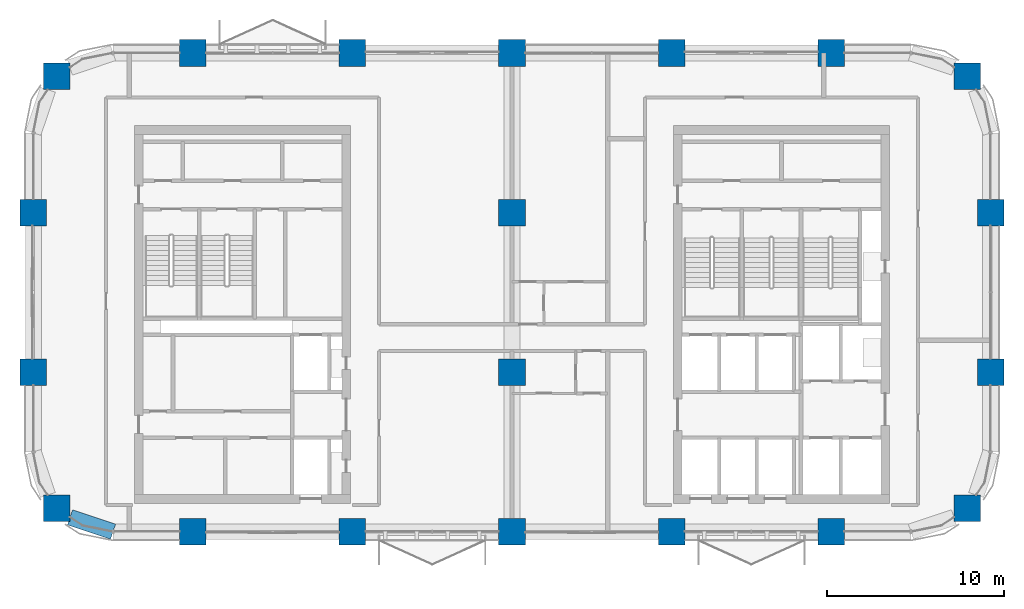
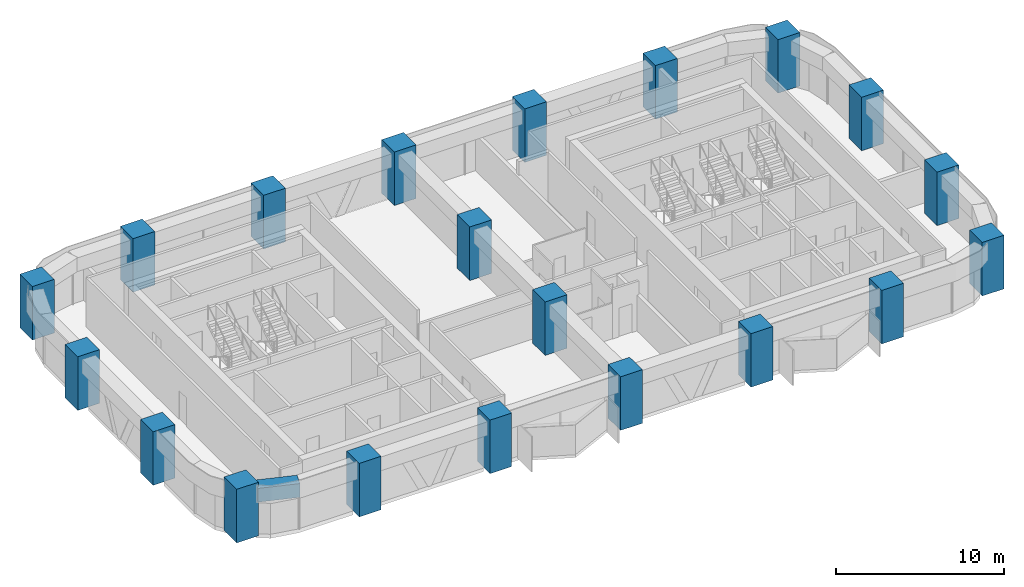
# One storey, part 1 of 13: 20 columns, 1 beam.
"""IFC4 building model written with IfcOpenShell, lengths in metres."""

from ifc_helpers import new_model, si_unit, direction, frame, origin, origin_2d, place, context, subcontext, project, spatial, rectangle, extrude, material, material_profile, profile_set, type_object, element, save


model = new_model("IFC4")

# Units and contexts
model_context = context("Model", 3, precision=1e-05, world=origin(), true_north=direction((0.0, 1.0)))
body_context = subcontext(model_context, "Body", "Model", "MODEL_VIEW")
ifc_project = project(units=[si_unit("LENGTHUNIT", "METRE"), si_unit("AREAUNIT", "SQUARE_METRE"), si_unit("VOLUMEUNIT", "CUBIC_METRE"), si_unit("PLANEANGLEUNIT", "RADIAN"), si_unit("MASSUNIT", "GRAM", prefix="KILO")], contexts=[model_context])

# Site, building, storey
site_placement = place(None, origin())
site = spatial("IfcSite", under=ifc_project, at=site_placement, CompositionType="ELEMENT")
building_placement = place(site_placement, origin())
building = spatial("IfcBuilding", under=site, at=building_placement, Name="Tessera Arch", CompositionType="ELEMENT")
storey_placement = place(building_placement, frame((0.0, 0.0, 189.5)))
storey = spatial("IfcBuildingStorey", under=building, at=storey_placement, Name="L45", CompositionType="ELEMENT", Elevation=189.5)

# Columns
ifc_material_1 = material(Name="Concrete C70/85", Category="concrete")
ifc_material_profile_1 = material_profile(ifc_material_1, rectangle(XDim=1.5, YDim=1.5, at=origin_2d()), Name="RC column 1500 x 1500 Concrete C70/85")
ifc_profile_set_1 = profile_set([ifc_material_profile_1], Name="Concrete C70/85")
column_type = type_object("IfcColumnType", Name="RC column 1500 x 1500 Concrete C70/85", PredefinedType="COLUMN", material=ifc_profile_set_1)
for number, where, z_axis, x_axis, name in (
    (1, (1.318115234375, 28.318115234375, 0.0), (0.0, 0.0, 1.0), (1.0, 0.0, 0.0), "Column C1D L45"),
    (2, (0.0, 36.0, 0.0), (0.0, 0.0, 1.0), (1.0, 0.0, 0.0), "Column C1E L45"),
    (3, (0.0, 45.0, 0.0), (0.0, 0.0, 1.0), (1.0, 0.0, 0.0), "Column C1F L45"),
    (4, (1.318115234375, 52.681884765625, 0.0), (0.0, 0.0, 1.0), (1.0, 0.0, 0.0), "Column C1G L45"),
    (5, (9.0, 27.0, 0.0), (0.0, 0.0, 1.0), (1.0, 0.0, 0.0), "Column C2D L45"),
    (6, (9.0, 54.0, 0.0), (0.0, 0.0, 1.0), (1.0, 0.0, 0.0), "Column C2G L45"),
    (7, (18.0, 27.0, 0.0), (0.0, 0.0, 1.0), (1.0, 0.0, 0.0), "Column C3D L45"),
    (8, (18.0, 54.0, 0.0), (0.0, 0.0, 1.0), (1.0, 0.0, 0.0), "Column C3G L45"),
    (9, (27.0, 27.0, 0.0), (0.0, 0.0, 1.0), (1.0, 0.0, 0.0), "Column C4D L45"),
    (10, (27.0, 36.0, 0.0), (0.0, 0.0, 1.0), (1.0, 0.0, 0.0), "Column C4E L45"),
    (11, (27.0, 45.0, 0.0), (0.0, 0.0, 1.0), (1.0, 0.0, 0.0), "Column C4F L45"),
    (12, (27.0, 54.0, 0.0), (0.0, 0.0, 1.0), (1.0, 0.0, 0.0), "Column C4G L45"),
    (13, (36.0, 27.0, 0.0), (0.0, 0.0, 1.0), (1.0, 0.0, 0.0), "Column C5D L45"),
    (14, (36.0, 54.0, 0.0), (0.0, 0.0, 1.0), (1.0, 0.0, 0.0), "Column C5G L45"),
    (15, (45.0, 27.0, 0.0), (0.0, 0.0, 1.0), (1.0, 0.0, 0.0), "Column C6D L45"),
    (16, (45.0, 54.0, 0.0), (0.0, 0.0, 1.0), (1.0, 0.0, 0.0), "Column C6G L45"),
    (17, (52.681884765625, 28.318115234375, 0.0), (0.0, 0.0, 1.0), (1.0, 0.0, 0.0), "Column C7D L45"),
    (18, (54.0, 36.0, 0.0), (0.0, 0.0, 1.0), (1.0, 0.0, 0.0), "Column C7E L45"),
    (19, (54.0, 45.0, 0.0), (0.0, 0.0, 1.0), (1.0, 0.0, 0.0), "Column C7F L45"),
    (20, (52.681884765625, 52.681884765625, 0.0), (0.0, 0.0, 1.0), (1.0, 0.0, 0.0), "Column C7G L45"),
):
    element("IfcColumn", number, at=place(storey_placement, frame(where, z_axis=z_axis, x_axis=x_axis)), inside=storey, type_object=column_type, Name=name, PredefinedType="COLUMN", context=body_context, shape_type="SweptSolid", body=[
        extrude(rectangle(XDim=1.5, YDim=1.5, at=origin_2d()), origin(), (0.0, 0.0, 1.0), 3.89990234375),
    ])

# Beam
ifc_material_2 = material(Name="Concrete C70/85", Category="concrete")
ifc_material_profile_2 = material_profile(ifc_material_2, rectangle(XDim=0.89990234375, YDim=1.0, at=origin_2d()), Name="RC spandrel beam 900 x 1000 Concrete C70/85")
ifc_profile_set_2 = profile_set([ifc_material_profile_2], Name="Concrete C70/85")
beam_type = type_object("IfcBeamType", Name="RC spandrel beam 900 x 1000 Concrete C70/85", PredefinedType="BEAM", material=ifc_profile_set_2)
beam_placement = place(storey_placement, frame((2.068115234375, 27.81689453125, 3.10009765625), z_axis=(0.947947973234, -0.31842525032, 0.0), x_axis=(0.31842525032, 0.947947973234, 0.0)))
element("IfcBeam", 21, at=beam_placement, inside=storey, type_object=beam_type, Name="Spandrel beam L45 S27.0/0.1", PredefinedType="BEAM", context=body_context, shape_type="SweptSolid", body=[
    extrude(rectangle(XDim=0.89990234375, YDim=1.0, at=origin_2d()), origin(), (0.0, 0.0, 1.0), 2.5654296875),
])

save(model, "model.ifc")
